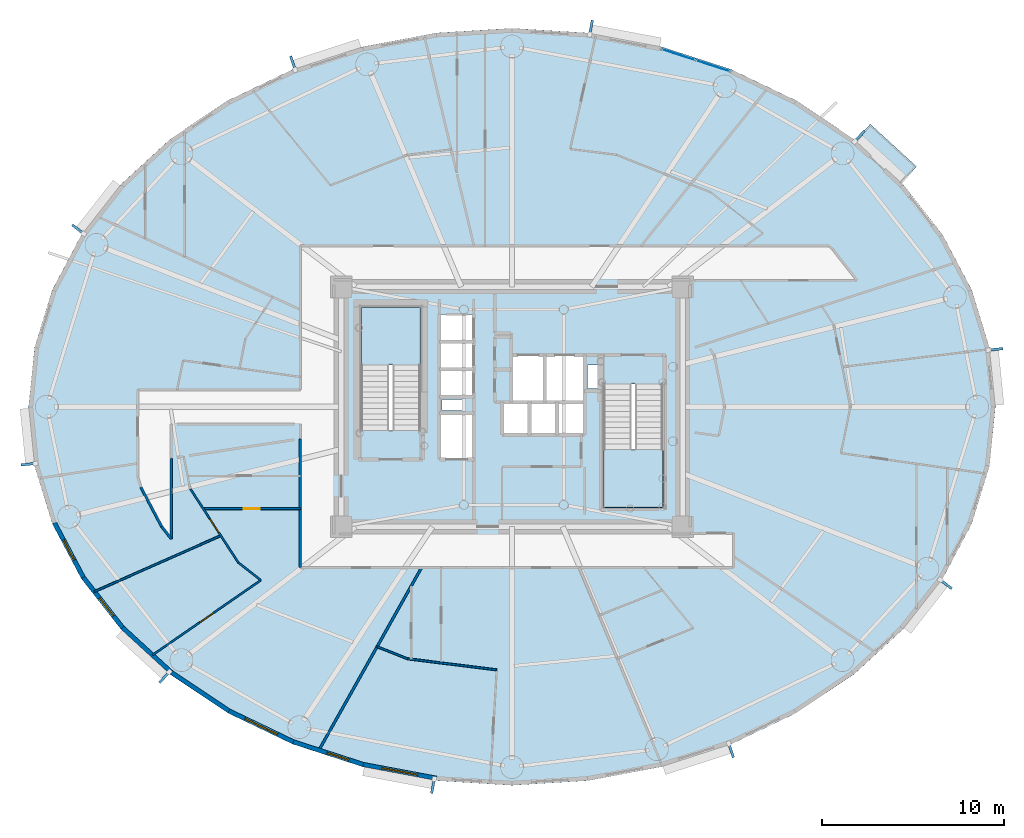
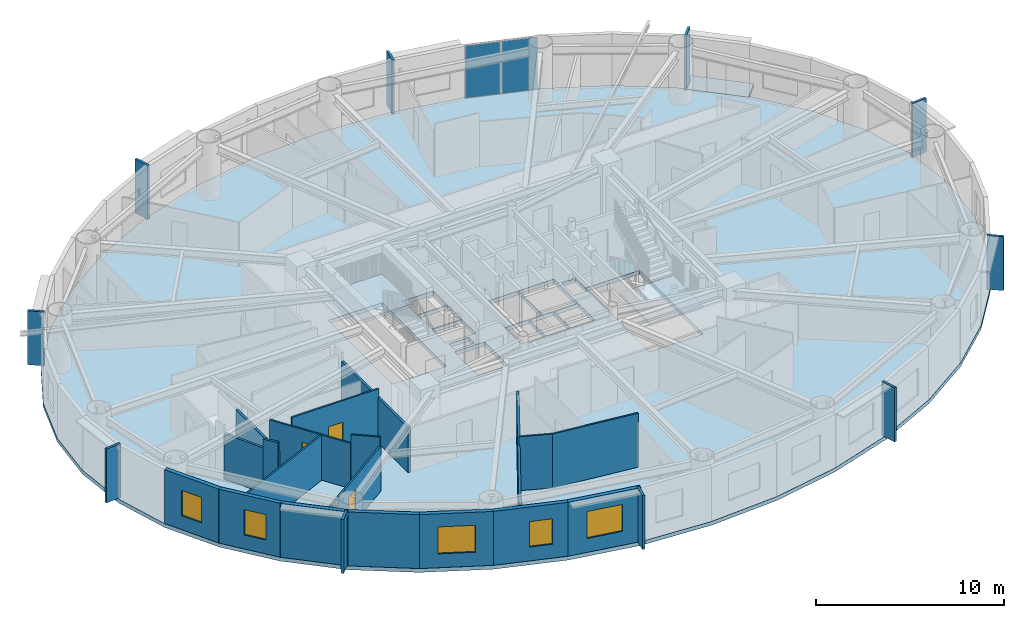
# One storey, part 6 of 18: 19 walls, 12 plates, 5 windows, 4 slabs, 3 doors, 8 openings, 3 elements without a shape of their own.
"""IFC4 building model written with IfcOpenShell, lengths in metres."""

from ifc_helpers import new_model, si_unit, direction, frame, frame_2d, origin, origin_2d, place, context, subcontext, project, spatial, polyline, rectangle, outline, extrude, source, transform, mapped, material, layer, layer_set, type_object, element, fill, aggregate, save


model = new_model("IFC4")

# Units and contexts
model_context = context("Model", 3, precision=1e-05, world=origin(), true_north=direction((0.0, 1.0)))
body_context = subcontext(model_context, "Body", "Model", "MODEL_VIEW")
ifc_project = project(units=[si_unit("LENGTHUNIT", "METRE"), si_unit("AREAUNIT", "SQUARE_METRE"), si_unit("VOLUMEUNIT", "CUBIC_METRE"), si_unit("PLANEANGLEUNIT", "RADIAN"), si_unit("MASSUNIT", "GRAM", prefix="KILO")], contexts=[model_context])

# Site, building, storey
site_placement = place(None, origin())
site = spatial("IfcSite", under=ifc_project, at=site_placement, CompositionType="ELEMENT")
building_placement = place(site_placement, origin())
building = spatial("IfcBuilding", under=site, at=building_placement, Name="Linh Dai School and Residence Tower", CompositionType="ELEMENT")
storey_placement = place(building_placement, frame((0.0, 0.0, 159.89990234375)))
storey = spatial("IfcBuildingStorey", under=building, at=storey_placement, Name="L38", CompositionType="ELEMENT", Elevation=159.89990234375)

# Slabs
ifc_material_1 = material(Name="Concrete B45 (C35/45)", Category="concrete")
ifc_layer_1 = layer(ifc_material_1, 0.219970703125)
ifc_layer_set_1 = layer_set([ifc_layer_1], Name="Concrete B45 (C35/45)")
slab_type_1 = type_object("IfcSlabType", Name="SLB-BALC-220", PredefinedType="FLOOR", material=ifc_layer_set_1)
slab_1_placement = place(storey_placement, frame((0.0, 0.0, -0.219970703125)))
element("IfcSlab", 1, at=slab_1_placement, inside=storey, type_object=slab_type_1, Name="L38 Sliding Balcony Slab 05", PredefinedType="FLOOR", context=body_context, shape_type="SweptSolid", body=[
    extrude(outline(polyline([(54.836181640625, 41.59619140625), (57.385009765625, 39.25927734375), (58.263427734375, 40.217529296875), (55.714599609375, 42.554443359375), (54.836181640625, 41.59619140625)])), origin(), (0.0, 0.0, 1.0), 0.219970703125),
])
ifc_layer_2 = layer(ifc_material_1, 0.25)
ifc_layer_set_2 = layer_set([ifc_layer_2], Name="Concrete B45 (C35/45)")
slab_type_2 = type_object("IfcSlabType", Name="SLB-FLR250", PredefinedType="FLOOR", material=ifc_layer_set_2)
slab_2_placement = place(storey_placement, frame((0.0, 0.0, -0.25)))
element("IfcSlab", 2, at=slab_2_placement, inside=storey, type_object=slab_type_2, Name="L38 Composite Structural Floor Slab", PredefinedType="FLOOR", context=body_context, shape_type="SweptSolid", body=[
    extrude(outline(polyline([(62.60009765625, 27.0), (62.2724609375, 30.258544921875), (61.298095703125, 33.436767578125), (59.70068359375, 36.45654296875), (57.519775390625, 39.24365234375), (54.80908203125, 41.72900390625), (51.635009765625, 43.851806640625), (48.076171875, 45.5595703125), (44.219970703125, 46.810546875), (40.1611328125, 47.573486328125), (36.0, 47.830078125), (31.8388671875, 47.573486328125), (27.780029296875, 46.810546875), (23.923828125, 45.5595703125), (20.364990234375, 43.851806640625), (17.19091796875, 41.72900390625), (14.480224609375, 39.24365234375), (12.29931640625, 36.45654296875), (10.701904296875, 33.436767578125), (9.7275390625, 30.258544921875), (9.39990234375, 27.0), (9.7275390625, 23.741455078125), (10.701904296875, 20.563232421875), (12.29931640625, 17.54345703125), (14.480224609375, 14.75634765625), (17.19091796875, 12.27099609375), (20.364990234375, 10.148193359375), (23.923828125, 8.4404296875), (27.780029296875, 7.189453125), (31.8388671875, 6.426513671875), (36.0, 6.169921875), (40.1611328125, 6.426513671875), (44.219970703125, 7.189453125), (48.076171875, 8.4404296875), (51.635009765625, 10.148193359375), (54.80908203125, 12.27099609375), (57.519775390625, 14.75634765625), (59.70068359375, 17.54345703125), (61.298095703125, 20.563232421875), (62.2724609375, 23.741455078125), (62.60009765625, 27.0)]), holes=[polyline([(30.97998046875, 25.699951171875), (30.97998046875, 32.5), (27.679931640625, 32.5), (27.679931640625, 25.699951171875), (30.97998046875, 25.699951171875)]), polyline([(41.02001953125, 28.25), (41.02001953125, 21.449951171875), (44.320068359375, 21.449951171875), (44.320068359375, 28.25), (41.02001953125, 28.25)]), polyline([(35.97998046875, 27.280029296875), (37.77001953125, 27.280029296875), (37.77001953125, 29.820068359375), (35.97998046875, 29.820068359375), (35.97998046875, 27.280029296875)]), polyline([(32.030029296875, 24.1298828125), (33.8701171875, 24.1298828125), (33.8701171875, 26.6201171875), (32.030029296875, 26.6201171875), (32.030029296875, 24.1298828125)]), polyline([(37.830078125, 27.280029296875), (39.969970703125, 27.280029296875), (39.969970703125, 29.820068359375), (37.830078125, 29.820068359375), (37.830078125, 27.280029296875)]), polyline([(32.030029296875, 27.580078125), (33.8701171875, 27.580078125), (33.8701171875, 29.030029296875), (32.030029296875, 29.030029296875), (32.030029296875, 27.580078125)]), polyline([(32.030029296875, 29.090087890625), (33.8701171875, 29.090087890625), (33.8701171875, 30.550048828125), (32.030029296875, 30.550048828125), (32.030029296875, 29.090087890625)]), polyline([(32.030029296875, 30.610107421875), (33.8701171875, 30.610107421875), (33.8701171875, 32.070068359375), (32.030029296875, 32.070068359375), (32.030029296875, 30.610107421875)]), polyline([(35.47998046875, 25.47998046875), (36.929931640625, 25.47998046875), (36.929931640625, 27.219970703125), (35.47998046875, 27.219970703125), (35.47998046875, 25.47998046875)]), polyline([(36.989990234375, 25.47998046875), (38.449951171875, 25.47998046875), (38.449951171875, 27.219970703125), (36.989990234375, 27.219970703125), (36.989990234375, 25.47998046875)]), polyline([(38.510009765625, 25.47998046875), (39.969970703125, 25.47998046875), (39.969970703125, 27.219970703125), (38.510009765625, 27.219970703125), (38.510009765625, 25.47998046875)]), polyline([(40.14990234375, 28.0), (40.14990234375, 29.300048828125), (41.0, 29.300048828125), (41.0, 28.280029296875), (40.989990234375, 28.280029296875), (40.989990234375, 28.0), (40.14990234375, 28.0)]), polyline([(32.14990234375, 26.800048828125), (33.35009765625, 26.800048828125), (33.35009765625, 27.39990234375), (32.14990234375, 27.39990234375), (32.14990234375, 26.800048828125)])]), origin(), (0.0, 0.0, 1.0), 0.25),
])

# Stair, slab
stair_type = type_object("IfcStairType", Name="ST-DOG-1550-R1442", PredefinedType="HALF_TURN_STAIR", material=ifc_material_1)
stair_1_placement = place(storey_placement, origin())
stair_1 = element("IfcStair", 3, at=stair_1_placement, inside=storey, type_object=stair_type, Name="L38 Core Smokeproof Exit Stair ST1", PredefinedType="HALF_TURN_STAIR")
ifc_layer_3 = layer(ifc_material_1, 0.199951171875)
ifc_layer_set_3 = layer_set([ifc_layer_3], Name="Concrete B45 (C35/45)")
slab_type_3 = type_object("IfcSlabType", Name="SLB-ST-LANDING-200", PredefinedType="LANDING", material=ifc_layer_set_3)
slab_3_placement = place(storey_placement, frame((0.0, 0.0, 1.675048828125)))
slab_3 = element("IfcSlab", 4, at=slab_3_placement, type_object=slab_type_3, Name="ST1 landing 1", PredefinedType="LANDING", context=body_context, shape_type="SweptSolid", body=[
    extrude(outline(polyline([(30.97998046875, 29.300048828125), (30.97998046875, 32.5), (27.679931640625, 32.5), (27.679931640625, 29.300048828125), (30.97998046875, 29.300048828125)])), origin(), (0.0, 0.0, 1.0), 0.199951171875),
])
aggregate(stair_1, [slab_3])

stair_2_placement = place(storey_placement, origin())
stair_2 = element("IfcStair", 5, at=stair_2_placement, inside=storey, type_object=stair_type, Name="L38 Core Smokeproof Exit Stair ST2", PredefinedType="HALF_TURN_STAIR")
slab_4_placement = place(storey_placement, frame((0.0, 0.0, 1.675048828125)))
slab_4 = element("IfcSlab", 6, at=slab_4_placement, type_object=slab_type_3, Name="ST2 landing 1", PredefinedType="LANDING", context=body_context, shape_type="SweptSolid", body=[
    extrude(outline(polyline([(41.02001953125, 24.64990234375), (41.02001953125, 21.449951171875), (44.320068359375, 21.449951171875), (44.320068359375, 24.64990234375), (41.02001953125, 24.64990234375)])), origin(), (0.0, 0.0, 1.0), 0.199951171875),
])
aggregate(stair_2, [slab_4])

# Plates
ifc_material_2 = material(Name="Precast Concrete B45 (C35/45)", Category="concrete")
ifc_layer_4 = layer(ifc_material_2, 0.139892578125)
ifc_layer_set_4 = layer_set([ifc_layer_4], Name="Precast Concrete B45 (C35/45)")
plate_type_1 = type_object("IfcPlateType", Name="FIN-TC-900x140", PredefinedType="USERDEFINED", material=ifc_layer_set_4)
shared_shape_1 = source(origin(), body_context, "Body", "SweptSolid", [
    extrude(rectangle(XDim=0.89990234375, YDim=0.139892578125, at=origin_2d()), origin(), (0.0, 0.0, 1.0), 3.5),
])
for number, where, z_axis, x_axis, name in (
    (7, (62.56982421875, 30.1552734375, 0.0), (0.0, 0.0, 1.0), (0.994987256586, 0.100001796141, 0.0), "L38 Precast Terracotta Radial Fin 01"),
    (8, (55.097412109375, 41.851806640625, 0.0), (0.0, 0.0, 1.0), (0.67580001435, 0.737085029426, 0.0), "L38 Precast Terracotta Radial Fin 05"),
    (9, (40.33935546875, 47.830322265625, 0.0), (0.0, 0.0, 1.0), (0.184762540184, 0.982783192645, 0.0), "L38 Precast Terracotta Radial Fin 09"),
    (10, (23.957763671875, 45.87060546875, 0.0), (0.0, 0.0, 1.0), (-0.308535707031, 0.951212761419, 0.0), "L38 Precast Terracotta Radial Fin 13"),
    (11, (12.155029296875, 36.735595703125, 0.0), (0.0, 0.0, 1.0), (-0.787522158319, 0.616286337798, 0.0), "L38 Precast Terracotta Radial Fin 17"),
    (12, (9.43017578125, 23.8447265625, 0.0), (0.0, 0.0, 1.0), (-0.994987256586, -0.100001796141, 0.0), "L38 Precast Terracotta Radial Fin 21"),
    (13, (16.902587890625, 12.148193359375, 0.0), (0.0, 0.0, 1.0), (-0.67580001435, -0.737085029426, 0.0), "L38 Precast Terracotta Radial Fin 25"),
    (14, (31.66064453125, 6.169677734375, 0.0), (0.0, 0.0, 1.0), (-0.184762540184, -0.982783192645, 0.0), "L38 Precast Terracotta Radial Fin 29"),
    (15, (48.042236328125, 8.12939453125, 0.0), (0.0, 0.0, 1.0), (0.308535707031, -0.951212761419, 0.0), "L38 Precast Terracotta Radial Fin 33"),
    (16, (59.844970703125, 17.264404296875, 0.0), (0.0, 0.0, 1.0), (0.787522158319, -0.616286337798, 0.0), "L38 Precast Terracotta Radial Fin 37"),
):
    element("IfcPlate", number, at=place(storey_placement, frame(where, z_axis=z_axis, x_axis=x_axis)), inside=storey, type_object=plate_type_1, Name=name, ObjectType="RADIAL FIN", PredefinedType="USERDEFINED", context=body_context, shape_type="MappedRepresentation", body=[
        mapped(shared_shape_1, transform((0.0, 0.0, 0.0), x_axis=(1.0, 0.0, 0.0), y_axis=(0.0, 1.0, 0.0), z_axis=(0.0, 0.0, 1.0), scale=1.0)),
    ])

# Curtain wall, plates
ifc_material_3 = material(Name="Aluminium Anodised Curtain Wall", Category="aluminium")
ifc_layer_5 = layer(ifc_material_3, 0.14990234375)
ifc_layer_set_5 = layer_set([ifc_layer_5], Name="Aluminium Anodised Curtain Wall")
curtain_wall_type = type_object("IfcCurtainWallType", Name="CW-SYS-4", PredefinedType="USERDEFINED", material=ifc_layer_set_5)
curtain_wall_placement = place(storey_placement, origin())
curtain_wall = element("IfcCurtainWall", 17, at=curtain_wall_placement, inside=storey, type_object=curtain_wall_type, Name="L38 CW4 Curtain Wall 08", ObjectType="RIBBON CURTAIN WALL", PredefinedType="USERDEFINED")
ifc_material_4 = material(Name="Double Low-E Insulated Glazing", Category="glass")
ifc_layer_6 = layer(ifc_material_4, 0.02587890625)
ifc_layer_set_6 = layer_set([ifc_layer_6], Name="Double Low-E Insulated Glazing")
plate_type_2 = type_object("IfcPlateType", Name="CW-SYS-4-PAN", PredefinedType="CURTAIN_PANEL", material=ifc_layer_set_6)
shared_shape_2 = source(origin(), body_context, "Body", "SweptSolid", [
    extrude(rectangle(XDim=1.94091796875, YDim=0.02587890625, at=origin_2d()), origin(), (0.0, 0.0, 1.0), 3.39599609375),
])
plate_1_placement = place(storey_placement, frame((45.16162109375, 46.3740234375, 0.052001953125), z_axis=(0.0, 0.0, 1.0), x_axis=(0.951212761419, -0.308535707031, 0.0)))
plate_1 = element("IfcPlate", 18, at=plate_1_placement, type_object=plate_type_2, Name="CW4 panel 1.1", PredefinedType="CURTAIN_PANEL", context=body_context, shape_type="MappedRepresentation", body=[
    mapped(shared_shape_2, transform((0.0, 0.0, 0.0), x_axis=(1.0, 0.0, 0.0), y_axis=(0.0, 1.0, 0.0), z_axis=(0.0, 0.0, 1.0), scale=1.0)),
])
plate_2_placement = place(storey_placement, frame((47.057373046875, 45.759033203125, 0.052001953125), z_axis=(0.0, 0.0, 1.0), x_axis=(0.951212761419, -0.308535707031, 0.0)))
plate_2 = element("IfcPlate", 19, at=plate_2_placement, type_object=plate_type_2, Name="CW4 panel 2.1", PredefinedType="CURTAIN_PANEL", context=body_context, shape_type="MappedRepresentation", body=[
    mapped(shared_shape_2, transform((0.0, 0.0, 0.0), x_axis=(1.0, 0.0, 0.0), y_axis=(0.0, 1.0, 0.0), z_axis=(0.0, 0.0, 1.0), scale=1.0)),
])
aggregate(curtain_wall, [plate_1, plate_2])

# Wall, opening, window
ifc_layer_7 = layer(ifc_material_2, 0.239990234375)
ifc_layer_set_7 = layer_set([ifc_layer_7], Name="Precast Concrete B45 (C35/45)")
wall_type_1 = type_object("IfcWallType", Name="EW-TC-240", PredefinedType="SOLIDWALL", material=ifc_layer_set_7)
wall_1_placement = place(storey_placement, frame((12.404052734375, 17.611572265625, 0.0), z_axis=(0.0, 0.0, 1.0), x_axis=(-0.467586874938, 0.88394712194, 0.0)))
wall_1 = element("IfcWall", 20, at=wall_1_placement, inside=storey, type_object=wall_type_1, Name="L38 Terracotta Exterior Wall 23", PredefinedType="SOLIDWALL", context=body_context, shape_type="SweptSolid", body=[
    extrude(rectangle(XDim=3.393310546875, YDim=0.239990234375, at=frame_2d((1.69677734375, 0.0))), origin(), (0.0, 0.0, 1.0), 3.5),
])
opening_1_placement = place(wall_1_placement, frame((1.07177734375, 0.0, 0.89990234375)))
opening_1 = element("IfcOpeningElement", 21, at=opening_1_placement, cuts=wall_1, Name="Opening W3", PredefinedType="OPENING", context=body_context, shape_type="SweptSolid", body=[
    extrude(rectangle(XDim=1.25, YDim=1.64990234375, at=origin_2d()), frame((0.625, 0.1298828125, 0.824951171875), z_axis=(0.0, -1.0, 0.0), x_axis=(1.0, 0.0, 0.0)), (0.0, 0.0, 1.0), 0.260009765625),
])
window_type_1 = type_object("IfcWindowType", Name="WN-RES-1250x1650", PartitioningType="SINGLE_PANEL", PredefinedType="WINDOW", material=ifc_material_4)
shared_shape_3 = source(origin(), body_context, "Body", "SweptSolid", [
    extrude(rectangle(XDim=1.25, YDim=1.64990234375, at=origin_2d()), frame((0.625, 0.030029296875, 0.824951171875), z_axis=(0.0, -1.0, 0.0), x_axis=(1.0, 0.0, 0.0)), (0.0, 0.0, 1.0), 0.06005859375),
])
window_1_placement = place(opening_1_placement, origin())
window_1 = element("IfcWindow", 22, at=window_1_placement, inside=storey, type_object=window_type_1, Name="L38 Dwelling Window U3805-BD1", OverallHeight=1.64990234375, OverallWidth=1.25, PartitioningType="SINGLE_PANEL", PredefinedType="WINDOW", context=body_context, shape_type="MappedRepresentation", body=[
    mapped(shared_shape_3, transform((0.0, 0.0, 0.0), x_axis=(1.0, 0.0, 0.0), y_axis=(0.0, 1.0, 0.0), z_axis=(0.0, 0.0, 1.0), scale=1.0)),
])
fill(opening_1, window_1)

wall_2_placement = place(storey_placement, frame((14.57177734375, 14.841552734375, 0.0), z_axis=(0.0, 0.0, 1.0), x_axis=(-0.616287674549, 0.787521112224, 0.0)))
wall_2 = element("IfcWall", 23, at=wall_2_placement, inside=storey, type_object=wall_type_1, Name="L38 Terracotta Exterior Wall 24", PredefinedType="SOLIDWALL", context=body_context, shape_type="SweptSolid", body=[
    extrude(rectangle(XDim=3.517333984375, YDim=0.239990234375, at=frame_2d((1.7587890625, 0.0))), origin(), (0.0, 0.0, 1.0), 3.5),
])
opening_2_placement = place(wall_2_placement, frame((0.81640625, 0.0, 0.89990234375)))
opening_2 = element("IfcOpeningElement", 24, at=opening_2_placement, cuts=wall_2, Name="Opening W3", PredefinedType="OPENING", context=body_context, shape_type="SweptSolid", body=[
    extrude(rectangle(XDim=1.25, YDim=1.64990234375, at=origin_2d()), frame((0.625, 0.1298828125, 0.824951171875), z_axis=(0.0, -1.0, 0.0), x_axis=(1.0, 0.0, 0.0)), (0.0, 0.0, 1.0), 0.260009765625),
])
window_2_placement = place(opening_2_placement, origin())
window_2 = element("IfcWindow", 25, at=window_2_placement, inside=storey, type_object=window_type_1, Name="L38 Exterior Window 24.1", OverallHeight=1.64990234375, OverallWidth=1.25, PartitioningType="SINGLE_PANEL", PredefinedType="WINDOW", context=body_context, shape_type="MappedRepresentation", body=[
    mapped(shared_shape_3, transform((0.0, 0.0, 0.0), x_axis=(1.0, 0.0, 0.0), y_axis=(0.0, 1.0, 0.0), z_axis=(0.0, 0.0, 1.0), scale=1.0)),
])
fill(opening_2, window_2)

# Walls
wall_3_placement = place(storey_placement, frame((17.26806640625, 12.369384765625, 0.0), z_axis=(0.0, 0.0, 1.0), x_axis=(-0.737076565834, 0.675809245349, 0.0)))
element("IfcWall", 26, at=wall_3_placement, inside=storey, type_object=wall_type_1, Name="L38 Terracotta Exterior Wall 25", PredefinedType="SOLIDWALL", context=body_context, shape_type="SweptSolid", body=[
    extrude(rectangle(XDim=3.658203125, YDim=0.239990234375, at=frame_2d((1.8291015625, 0.0))), origin(), (0.0, 0.0, 1.0), 3.5),
])
wall_4_placement = place(storey_placement, frame((20.4267578125, 10.2568359375, 0.0), z_axis=(0.0, 0.0, 1.0), x_axis=(-0.831228998277, 0.555930168657, 0.0)))
element("IfcWall", 27, at=wall_4_placement, inside=storey, type_object=wall_type_1, Name="L38 Terracotta Exterior Wall 26", PredefinedType="SOLIDWALL", context=body_context, shape_type="SweptSolid", body=[
    extrude(rectangle(XDim=3.800048828125, YDim=0.239990234375, at=frame_2d((1.89990234375, 0.0))), origin(), (0.0, 0.0, 1.0), 3.5),
])

# Wall, opening, window
wall_5_placement = place(storey_placement, frame((23.97021484375, 8.556396484375, 0.0), z_axis=(0.0, 0.0, 1.0), x_axis=(-0.901564733809, 0.432644231155, 0.0)))
wall_5 = element("IfcWall", 28, at=wall_5_placement, inside=storey, type_object=wall_type_1, Name="L38 Terracotta Exterior Wall 27", PredefinedType="SOLIDWALL", context=body_context, shape_type="SweptSolid", body=[
    extrude(rectangle(XDim=3.930419921875, YDim=0.239990234375, at=frame_2d((1.96533203125, 0.0))), origin(), (0.0, 0.0, 1.0), 3.5),
])
opening_3_placement = place(wall_5_placement, frame((0.965087890625, 0.0, 0.89990234375)))
opening_3 = element("IfcOpeningElement", 29, at=opening_3_placement, cuts=wall_5, Name="Opening W1", PredefinedType="OPENING", context=body_context, shape_type="SweptSolid", body=[
    extrude(rectangle(XDim=2.0, YDim=1.75, at=origin_2d()), frame((1.0, 0.1298828125, 0.875), z_axis=(0.0, -1.0, 0.0), x_axis=(1.0, 0.0, 0.0)), (0.0, 0.0, 1.0), 0.260009765625),
])
window_type_2 = type_object("IfcWindowType", Name="WN-RES-2000x1750", PartitioningType="DOUBLE_PANEL_VERTICAL", PredefinedType="WINDOW", material=ifc_material_4)
shared_shape_4 = source(origin(), body_context, "Body", "SweptSolid", [
    extrude(rectangle(XDim=2.0, YDim=1.75, at=origin_2d()), frame((1.0, 0.030029296875, 0.875), z_axis=(0.0, -1.0, 0.0), x_axis=(1.0, 0.0, 0.0)), (0.0, 0.0, 1.0), 0.06005859375),
])
window_3_placement = place(opening_3_placement, origin())
window_3 = element("IfcWindow", 30, at=window_3_placement, inside=storey, type_object=window_type_2, Name="L38 Exterior Window 27.1", OverallHeight=1.75, OverallWidth=2.0, PartitioningType="DOUBLE_PANEL_VERTICAL", PredefinedType="WINDOW", context=body_context, shape_type="MappedRepresentation", body=[
    mapped(shared_shape_4, transform((0.0, 0.0, 0.0), x_axis=(1.0, 0.0, 0.0), y_axis=(0.0, 1.0, 0.0), z_axis=(0.0, 0.0, 1.0), scale=1.0)),
])
fill(opening_3, window_3)

wall_6_placement = place(storey_placement, frame((27.81103515625, 7.310546875, 0.0), z_axis=(0.0, 0.0, 1.0), x_axis=(-0.951209870236, 0.30854462038, 0.0)))
wall_6 = element("IfcWall", 31, at=wall_6_placement, inside=storey, type_object=wall_type_1, Name="L38 Terracotta Exterior Wall 28", PredefinedType="SOLIDWALL", context=body_context, shape_type="SweptSolid", body=[
    extrude(rectangle(XDim=4.037841796875, YDim=0.239990234375, at=frame_2d((2.01904296875, 0.0))), origin(), (0.0, 0.0, 1.0), 3.5),
])
opening_4_placement = place(wall_6_placement, frame((0.837890625, 0.0, 0.89990234375)))
opening_4 = element("IfcOpeningElement", 32, at=opening_4_placement, cuts=wall_6, Name="Opening W3", PredefinedType="OPENING", context=body_context, shape_type="SweptSolid", body=[
    extrude(rectangle(XDim=1.25, YDim=1.64990234375, at=origin_2d()), frame((0.625, 0.1298828125, 0.824951171875), z_axis=(0.0, -1.0, 0.0), x_axis=(1.0, 0.0, 0.0)), (0.0, 0.0, 1.0), 0.260009765625),
])
window_4_placement = place(opening_4_placement, origin())
window_4 = element("IfcWindow", 33, at=window_4_placement, inside=storey, type_object=window_type_1, Name="L38 Exterior Window 28.1", OverallHeight=1.64990234375, OverallWidth=1.25, PartitioningType="SINGLE_PANEL", PredefinedType="WINDOW", context=body_context, shape_type="MappedRepresentation", body=[
    mapped(shared_shape_3, transform((0.0, 0.0, 0.0), x_axis=(1.0, 0.0, 0.0), y_axis=(0.0, 1.0, 0.0), z_axis=(0.0, 0.0, 1.0), scale=1.0)),
])
fill(opening_4, window_4)

wall_7_placement = place(storey_placement, frame((31.854248046875, 6.550537109375, 0.0), z_axis=(0.0, 0.0, 1.0), x_axis=(-0.982788108205, 0.184736391573, 0.0)))
wall_7 = element("IfcWall", 34, at=wall_7_placement, inside=storey, type_object=wall_type_1, Name="L38 Terracotta Exterior Wall 29", PredefinedType="SOLIDWALL", context=body_context, shape_type="SweptSolid", body=[
    extrude(rectangle(XDim=4.114013671875, YDim=0.239990234375, at=frame_2d((2.05712890625, 0.0))), origin(), (0.0, 0.0, 1.0), 3.5),
])
opening_5_placement = place(wall_7_placement, frame((1.056884765625, 0.0, 0.89990234375)))
opening_5 = element("IfcOpeningElement", 35, at=opening_5_placement, cuts=wall_7, Name="Opening W1", PredefinedType="OPENING", context=body_context, shape_type="SweptSolid", body=[
    extrude(rectangle(XDim=2.0, YDim=1.75, at=origin_2d()), frame((1.0, 0.1298828125, 0.875), z_axis=(0.0, -1.0, 0.0), x_axis=(1.0, 0.0, 0.0)), (0.0, 0.0, 1.0), 0.260009765625),
])
window_5_placement = place(opening_5_placement, origin())
window_5 = element("IfcWindow", 36, at=window_5_placement, inside=storey, type_object=window_type_2, Name="L38 Exterior Window 29.1", OverallHeight=1.75, OverallWidth=2.0, PartitioningType="DOUBLE_PANEL_VERTICAL", PredefinedType="WINDOW", context=body_context, shape_type="MappedRepresentation", body=[
    mapped(shared_shape_4, transform((0.0, 0.0, 0.0), x_axis=(1.0, 0.0, 0.0), y_axis=(0.0, 1.0, 0.0), z_axis=(0.0, 0.0, 1.0), scale=1.0)),
])
fill(opening_5, window_5)

# Walls
ifc_material_5 = material(Name="Autoclaved Aerated Concrete Blockwork", Category="masonry")
ifc_layer_8 = layer(ifc_material_5, 0.135009765625)
ifc_layer_set_8 = layer_set([ifc_layer_8], Name="Autoclaved Aerated Concrete Blockwork")
wall_type_2 = type_object("IfcWallType", Name="IW-CORR-135-EI90", PredefinedType="PARTITIONING", material=ifc_layer_set_8)
wall_8_placement = place(storey_placement, frame((15.57421875, 22.577880859375, 0.0), z_axis=(0.0, 0.0, 1.0), x_axis=(0.46757196543, -0.883955008552, 0.0)))
element("IfcWall", 37, at=wall_8_placement, inside=storey, type_object=wall_type_2, Name="L38 Interior Partition Wall 007", PredefinedType="PARTITIONING", context=body_context, shape_type="SweptSolid", body=[
    extrude(rectangle(XDim=2.451416015625, YDim=0.135009765625, at=frame_2d((1.2255859375, 0.0))), origin(), (0.0, 0.0, 1.0), 2.93505859375),
])
wall_9_placement = place(storey_placement, frame((16.720458984375, 20.410888671875, 0.0), z_axis=(0.0, 0.0, 1.0), x_axis=(0.616377221056, -0.787451027914, 0.0)))
element("IfcWall", 38, at=wall_9_placement, inside=storey, type_object=wall_type_2, Name="L38 Interior Partition Wall 010", PredefinedType="PARTITIONING", context=body_context, shape_type="SweptSolid", body=[
    extrude(rectangle(XDim=0.859130859375, YDim=0.135009765625, at=frame_2d((0.4296875, 0.0))), origin(), (0.0, 0.0, 1.0), 3.5),
])
wall_10_placement = place(storey_placement, frame((17.25, 19.734375, 0.0), z_axis=(0.0, 0.0, 1.0), x_axis=(0.0, 1.0, 0.0)))
element("IfcWall", 39, at=wall_10_placement, inside=storey, type_object=wall_type_2, Name="L38 Interior Partition Wall 011", PredefinedType="PARTITIONING", context=body_context, shape_type="SweptSolid", body=[
    extrude(rectangle(XDim=4.42919921875, YDim=0.135009765625, at=frame_2d((2.214599609375, 0.0))), origin(), (0.0, 0.0, 1.0), 2.93505859375),
])
wall_11_placement = place(storey_placement, frame((24.35009765625, 18.14990234375, 0.0), z_axis=(0.0, 0.0, 1.0), x_axis=(0.0, 1.0, 0.0)))
element("IfcWall", 40, at=wall_11_placement, inside=storey, type_object=wall_type_2, Name="L38 Interior Partition Wall 023", PredefinedType="PARTITIONING", context=body_context, shape_type="SweptSolid", body=[
    extrude(rectangle(XDim=7.087646484375, YDim=0.135009765625, at=frame_2d((3.5439453125, 0.0))), origin(), (0.0, 0.0, 1.0), 2.93505859375),
])
wall_12_placement = place(storey_placement, frame((25.37060546875, 8.096923828125, 0.0), z_axis=(0.0, 0.0, 1.0), x_axis=(0.49013158602, 0.871648454588, 0.0)))
element("IfcWall", 41, at=wall_12_placement, inside=storey, type_object=wall_type_2, Name="L38 Interior Partition Wall 027", PredefinedType="PARTITIONING", context=body_context, shape_type="SweptSolid", body=[
    extrude(rectangle(XDim=11.533203125, YDim=0.135009765625, at=frame_2d((5.7666015625, 0.0))), origin(), (0.0, 0.0, 1.0), 2.93505859375),
])
ifc_material_6 = material(Name="Gypsum Plasterboard Acoustic Stud Partition", Category="masonry")
ifc_layer_9 = layer(ifc_material_6, 0.10009765625)
ifc_layer_set_9 = layer_set([ifc_layer_9], Name="Gypsum Plasterboard Acoustic Stud Partition")
wall_type_3 = type_object("IfcWallType", Name="IW-UNIT-100", PredefinedType="PARTITIONING", material=ifc_layer_set_9)
wall_13_placement = place(storey_placement, frame((13.01171875, 16.826904296875, 0.0), z_axis=(0.0, 0.0, 1.0), x_axis=(0.914460954348, 0.404674144185, 0.0)))
element("IfcWall", 42, at=wall_13_placement, inside=storey, type_object=wall_type_3, Name="L38 Interior Partition Wall 002", PredefinedType="PARTITIONING", context=body_context, shape_type="SweptSolid", body=[
    extrude(rectangle(XDim=7.61376953125, YDim=0.10009765625, at=frame_2d((3.806884765625, 0.0))), origin(), (0.0, 0.0, 1.0), 2.93505859375),
])

# Wall, opening, door
wall_14_placement = place(storey_placement, frame((16.208984375, 13.33349609375, 0.0), z_axis=(0.0, 0.0, 1.0), x_axis=(0.82287966827, 0.568215673444, 0.0)))
wall_14 = element("IfcWall", 43, at=wall_14_placement, inside=storey, type_object=wall_type_3, Name="L38 Interior Partition Wall 009", PredefinedType="PARTITIONING", context=body_context, shape_type="SweptSolid", body=[
    extrude(rectangle(XDim=7.25537109375, YDim=0.10009765625, at=frame_2d((3.627685546875, 0.0))), origin(), (0.0, 0.0, 1.0), 2.93505859375),
])
opening_6_placement = place(wall_14_placement, frame((3.177490234375, 0.0, 0.0)))
opening_6 = element("IfcOpeningElement", 44, at=opening_6_placement, cuts=wall_14, Name="Opening D05", PredefinedType="OPENING", context=body_context, shape_type="SweptSolid", body=[
    extrude(rectangle(XDim=0.89990234375, YDim=2.10009765625, at=origin_2d()), frame((0.449951171875, 0.06005859375, 1.050048828125), z_axis=(0.0, -1.0, 0.0), x_axis=(1.0, 0.0, 0.0)), (0.0, 0.0, 1.0), 0.1201171875),
])
ifc_material_7 = material(Name="Engineered Timber Internal Door", Category="wood")
door_type = type_object("IfcDoorType", Name="DR-INT-900x2100", OperationType="NOTDEFINED", PredefinedType="DOOR", material=ifc_material_7)
shared_shape_5 = source(origin(), body_context, "Body", "SweptSolid", [
    extrude(rectangle(XDim=0.89990234375, YDim=2.10009765625, at=origin_2d()), frame((0.449951171875, 0.02490234375, 1.050048828125), z_axis=(0.0, -1.0, 0.0), x_axis=(1.0, 0.0, 0.0)), (0.0, 0.0, 1.0), 0.050048828125),
])
door_1_placement = place(opening_6_placement, origin())
door_1 = element("IfcDoor", 45, at=door_1_placement, inside=storey, type_object=door_type, Name="L38 Apartment U3805 Study Door", OperationType="SINGLE_SWING_RIGHT", OverallHeight=2.10009765625, OverallWidth=0.89990234375, PredefinedType="DOOR", context=body_context, shape_type="MappedRepresentation", body=[
    mapped(shared_shape_5, transform((0.0, 0.0, 0.0), x_axis=(1.0, 0.0, 0.0), y_axis=(0.0, 1.0, 0.0), z_axis=(0.0, 0.0, 1.0), scale=1.0)),
])
fill(opening_6, door_1)

wall_15_placement = place(storey_placement, frame((18.291259765625, 22.494140625, 0.0), z_axis=(0.0, 0.0, 1.0), x_axis=(0.545405921784, -0.838172047066, 0.0)))
wall_15 = element("IfcWall", 46, at=wall_15_placement, inside=storey, type_object=wall_type_3, Name="L38 Interior Partition Wall 017", PredefinedType="PARTITIONING", context=body_context, shape_type="SweptSolid", body=[
    extrude(rectangle(XDim=4.84912109375, YDim=0.10009765625, at=frame_2d((2.424560546875, 0.0))), origin(), (0.0, 0.0, 1.0), 2.93505859375),
])
opening_7_placement = place(wall_15_placement, frame((1.96240234375, 0.0, 0.0)))
opening_7 = element("IfcOpeningElement", 47, at=opening_7_placement, cuts=wall_15, Name="Opening D05", PredefinedType="OPENING", context=body_context, shape_type="SweptSolid", body=[
    extrude(rectangle(XDim=0.89990234375, YDim=2.10009765625, at=origin_2d()), frame((0.449951171875, 0.06005859375, 1.050048828125), z_axis=(0.0, -1.0, 0.0), x_axis=(1.0, 0.0, 0.0)), (0.0, 0.0, 1.0), 0.1201171875),
])
door_2_placement = place(opening_7_placement, origin())
door_2 = element("IfcDoor", 48, at=door_2_placement, inside=storey, type_object=door_type, Name="L38 Apartment U3805 Principal Bedroom 1 Door", OperationType="SINGLE_SWING_LEFT", OverallHeight=2.10009765625, OverallWidth=0.89990234375, PredefinedType="DOOR", context=body_context, shape_type="MappedRepresentation", body=[
    mapped(shared_shape_5, transform((0.0, 0.0, 0.0), x_axis=(1.0, 0.0, 0.0), y_axis=(0.0, 1.0, 0.0), z_axis=(0.0, 0.0, 1.0), scale=1.0)),
])
fill(opening_7, door_2)

wall_16_placement = place(storey_placement, frame((19.00537109375, 21.396728515625, 0.0), z_axis=(0.0, 0.0, 1.0), x_axis=(1.0, 0.0, 0.0)))
wall_16 = element("IfcWall", 49, at=wall_16_placement, inside=storey, type_object=wall_type_3, Name="L38 Interior Partition Wall 018", PredefinedType="PARTITIONING", context=body_context, shape_type="SweptSolid", body=[
    extrude(rectangle(XDim=5.3447265625, YDim=0.10009765625, at=frame_2d((2.67236328125, 0.0))), origin(), (0.0, 0.0, 1.0), 3.5),
])
opening_8_placement = place(wall_16_placement, frame((2.222412109375, 0.0, 0.0)))
opening_8 = element("IfcOpeningElement", 50, at=opening_8_placement, cuts=wall_16, Name="Opening D05", PredefinedType="OPENING", context=body_context, shape_type="SweptSolid", body=[
    extrude(rectangle(XDim=0.89990234375, YDim=2.10009765625, at=origin_2d()), frame((0.449951171875, 0.06005859375, 1.050048828125), z_axis=(0.0, -1.0, 0.0), x_axis=(1.0, 0.0, 0.0)), (0.0, 0.0, 1.0), 0.1201171875),
])
door_3_placement = place(opening_8_placement, origin())
door_3 = element("IfcDoor", 51, at=door_3_placement, inside=storey, type_object=door_type, Name="L38 Apartment U3805 Kitchen Door", OperationType="SINGLE_SWING_LEFT", OverallHeight=2.10009765625, OverallWidth=0.89990234375, PredefinedType="DOOR", context=body_context, shape_type="MappedRepresentation", body=[
    mapped(shared_shape_5, transform((0.0, 0.0, 0.0), x_axis=(1.0, 0.0, 0.0), y_axis=(0.0, 1.0, 0.0), z_axis=(0.0, 0.0, 1.0), scale=1.0)),
])
fill(opening_8, door_3)

# Walls
wall_17_placement = place(storey_placement, frame((20.93603515625, 18.429443359375, 0.0), z_axis=(0.0, 0.0, 1.0), x_axis=(0.787358146927, -0.61649586249, 0.0)))
element("IfcWall", 52, at=wall_17_placement, inside=storey, type_object=wall_type_3, Name="L38 Interior Partition Wall 019", PredefinedType="PARTITIONING", context=body_context, shape_type="SweptSolid", body=[
    extrude(rectangle(XDim=1.578857421875, YDim=0.10009765625, at=frame_2d((0.78955078125, 0.0))), origin(), (0.0, 0.0, 1.0), 3.5),
])
wall_18_placement = place(storey_placement, frame((28.576904296875, 13.798583984375, 0.0), z_axis=(0.0, 0.0, 1.0), x_axis=(0.928794890234, -0.370594187591, 0.0)))
element("IfcWall", 53, at=wall_18_placement, inside=storey, type_object=wall_type_3, Name="L38 Interior Partition Wall 030", PredefinedType="PARTITIONING", context=body_context, shape_type="SweptSolid", body=[
    extrude(rectangle(XDim=1.797119140625, YDim=0.10009765625, at=frame_2d((0.8984375, 0.0))), origin(), (0.0, 0.0, 1.0), 3.5),
])
wall_19_placement = place(storey_placement, frame((30.24609375, 13.132568359375, 0.0), z_axis=(0.0, 0.0, 1.0), x_axis=(0.99239956118, -0.1230573483, 0.0)))
element("IfcWall", 54, at=wall_19_placement, inside=storey, type_object=wall_type_3, Name="L38 Interior Partition Wall 031", PredefinedType="PARTITIONING", context=body_context, shape_type="SweptSolid", body=[
    extrude(rectangle(XDim=4.949951171875, YDim=0.10009765625, at=frame_2d((2.47509765625, 0.0))), origin(), (0.0, 0.0, 1.0), 3.5),
])

save(model, "model.ifc")
